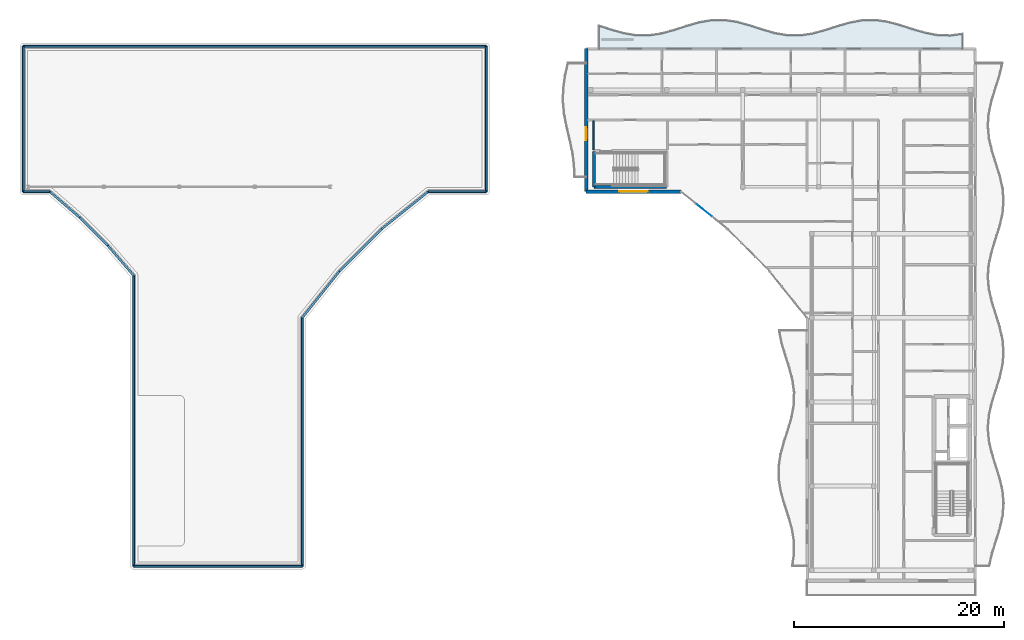
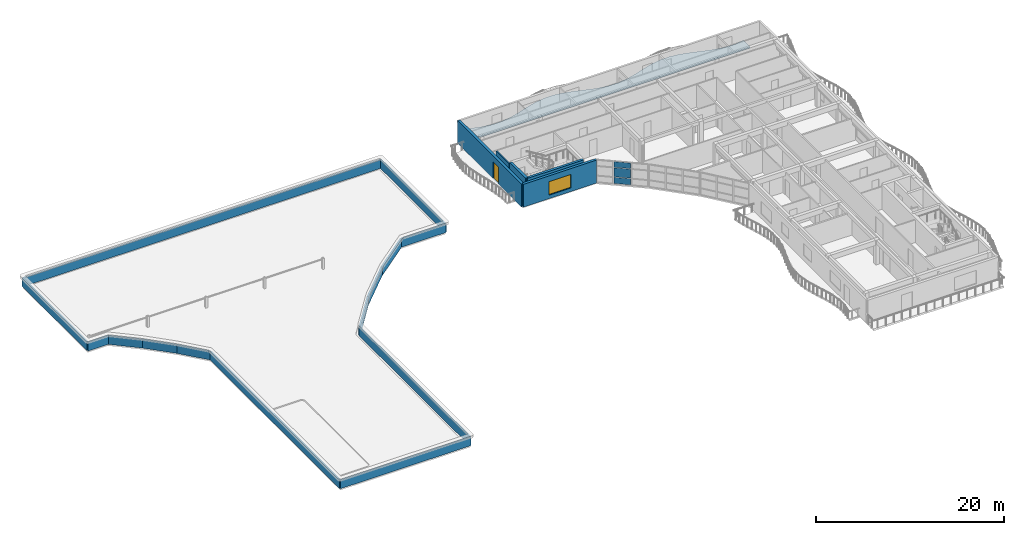
# One storey, part 9 of 18: 19 walls, 3 plates, 1 door, 1 slab, 1 window, 2 openings, 1 element without a shape of its own.
"""IFC4 building model written with IfcOpenShell, lengths in metres."""

from ifc_helpers import new_model, si_unit, direction, frame, frame_2d, origin, origin_2d, place, context, subcontext, project, spatial, polyline, rectangle, outline, extrude, material, layer, layer_set, type_object, element, fill, aggregate, save


model = new_model("IFC4")

# Units and contexts
model_context = context("Model", 3, precision=1e-05, world=origin(), true_north=direction((0.0, 1.0)))
body_context = subcontext(model_context, "Body", "Model", "MODEL_VIEW")
ifc_project = project(units=[si_unit("LENGTHUNIT", "METRE"), si_unit("AREAUNIT", "SQUARE_METRE"), si_unit("VOLUMEUNIT", "CUBIC_METRE"), si_unit("PLANEANGLEUNIT", "RADIAN"), si_unit("MASSUNIT", "GRAM", prefix="KILO")], contexts=[model_context])

# Site, building, storey
site_placement = place(None, origin())
site = spatial("IfcSite", under=ifc_project, at=site_placement, CompositionType="ELEMENT")
building_placement = place(site_placement, origin())
building = spatial("IfcBuilding", under=site, at=building_placement, Name="Keldmere Railside Commons", CompositionType="ELEMENT")
storey_placement = place(building_placement, frame((0.0, 0.0, 39.360107421875)))
storey = spatial("IfcBuildingStorey", under=building, at=storey_placement, Name="L12", CompositionType="ELEMENT", Elevation=39.360107421875)

# Curtain wall, plates
ifc_material_1 = material(Name="Thermally Broken Aluminium", Category="aluminium")
ifc_layer_1 = layer(ifc_material_1, 0.159912109375, Name="Court Chord Wintergarden CW 5400x2850")
ifc_layer_set_1 = layer_set([ifc_layer_1], Name="Thermally Broken Aluminium")
curtain_wall_type = type_object("IfcCurtainWallType", Name="Court Chord Wintergarden CW 5400x2850", PredefinedType="NOTDEFINED", material=ifc_layer_set_1)
curtain_wall_placement = place(storey_placement, origin())
curtain_wall = element("IfcCurtainWall", 1, at=curtain_wall_placement, inside=storey, type_object=curtain_wall_type, Name="CW-13 CW-L12-193", PredefinedType="NOTDEFINED")
ifc_material_2 = material(Name="Low-E Insulated Double Glazing", Category="glass")
ifc_layer_2 = layer(ifc_material_2, 0.033935546875, Name="Acoustic Laminated Vision Panel 34")
ifc_layer_set_2 = layer_set([ifc_layer_2], Name="Low-E Insulated Double Glazing")
plate_type = type_object("IfcPlateType", Name="Acoustic Laminated Vision Panel 34", PredefinedType="CURTAIN_PANEL", material=ifc_layer_set_2)
plate_1_placement = place(storey_placement, frame((158.215087890625, 98.222900390625, 0.06494140625), z_axis=(0.0, 0.0, 1.0), x_axis=(-0.780009172323, 0.625768080915, 0.0)))
plate_1 = element("IfcPlate", 2, at=plate_1_placement, type_object=plate_type, Name="CW-13 panel 2.1", PredefinedType="CURTAIN_PANEL", context=body_context, shape_type="SweptSolid", body=[
    extrude(rectangle(XDim=1.828125, YDim=0.033935546875, at=origin_2d()), origin(), (0.0, 0.0, 1.0), 0.802490234375),
])
plate_2_placement = place(storey_placement, frame((158.215087890625, 98.222900390625, 0.932373046875), z_axis=(0.0, 0.0, 1.0), x_axis=(-0.780009172323, 0.625768080915, 0.0)))
plate_2 = element("IfcPlate", 3, at=plate_2_placement, type_object=plate_type, Name="CW-13 panel 2.2", PredefinedType="CURTAIN_PANEL", context=body_context, shape_type="SweptSolid", body=[
    extrude(rectangle(XDim=1.828125, YDim=0.033935546875, at=origin_2d()), origin(), (0.0, 0.0, 1.0), 1.18505859375),
])
plate_3_placement = place(storey_placement, frame((158.215087890625, 98.222900390625, 2.182373046875), z_axis=(0.0, 0.0, 1.0), x_axis=(-0.780009172323, 0.625768080915, 0.0)))
plate_3 = element("IfcPlate", 4, at=plate_3_placement, type_object=plate_type, Name="CW-13 panel 2.3", PredefinedType="CURTAIN_PANEL", context=body_context, shape_type="SweptSolid", body=[
    extrude(rectangle(XDim=1.828125, YDim=0.033935546875, at=origin_2d()), origin(), (0.0, 0.0, 1.0), 0.732421875),
])
aggregate(curtain_wall, [plate_1, plate_2, plate_3])

# Slab
ifc_material_3 = material(Name="White Precast Concrete H-35 (C35/45)", Category="concrete")
ifc_layer_3 = layer(ifc_material_3, 0.179931640625, Name="Sinusoidal Wave Balcony Slab 180")
ifc_layer_set_3 = layer_set([ifc_layer_3], Name="White Precast Concrete H-35 (C35/45)")
slab_type = type_object("IfcSlabType", Name="Sinusoidal Wave Balcony Slab 180", PredefinedType="FLOOR", material=ifc_layer_set_3)
slab_placement = place(storey_placement, frame((0.0, 0.0, -0.18017578125)))
element("IfcSlab", 5, at=slab_placement, inside=storey, type_object=slab_type, Name="WB-1 A L12 N Wave Balcony", PredefinedType="FLOOR", context=body_context, shape_type="SweptSolid", body=[
    extrude(outline(polyline([(148.199951171875, 113.60009765625), (149.39306640625, 113.60009765625), (150.586181640625, 113.60009765625), (151.779296875, 113.60009765625), (152.972412109375, 113.60009765625), (154.16552734375, 113.60009765625), (155.358642578125, 113.60009765625), (156.5517578125, 113.60009765625), (157.744873046875, 113.60009765625), (158.93798828125, 113.60009765625), (160.131103515625, 113.60009765625), (161.32421875, 113.60009765625), (162.51708984375, 113.60009765625), (163.710205078125, 113.60009765625), (164.9033203125, 113.60009765625), (166.0966796875, 113.60009765625), (167.289794921875, 113.60009765625), (168.48291015625, 113.60009765625), (169.67578125, 113.60009765625), (170.868896484375, 113.60009765625), (172.06201171875, 113.60009765625), (173.255126953125, 113.60009765625), (174.4482421875, 113.60009765625), (175.641357421875, 113.60009765625), (176.83447265625, 113.60009765625), (178.027587890625, 113.60009765625), (179.220703125, 113.60009765625), (180.413818359375, 113.60009765625), (181.60693359375, 113.60009765625), (182.800048828125, 113.60009765625), (182.800048828125, 114.96923828125), (181.60693359375, 114.81005859375), (180.413818359375, 114.846923828125), (179.220703125, 115.0703125), (178.027587890625, 115.42041015625), (176.83447265625, 115.80517578125), (175.641357421875, 116.1220703125), (174.4482421875, 116.28759765625), (173.255126953125, 116.257568359375), (172.06201171875, 116.040283203125), (170.868896484375, 115.69287109375), (169.67578125, 115.3076171875), (168.48291015625, 114.98681640625), (167.289794921875, 114.815185546875), (166.0966796875, 114.837890625), (164.9033203125, 115.0498046875), (163.710205078125, 115.393798828125), (162.51708984375, 115.779296875), (161.32421875, 116.104248046875), (160.131103515625, 116.281982421875), (158.93798828125, 116.26611328125), (157.744873046875, 116.060302734375), (156.5517578125, 115.71923828125), (155.358642578125, 115.33349609375), (154.16552734375, 115.0048828125), (152.972412109375, 114.82080078125), (151.779296875, 114.830078125), (150.586181640625, 115.02978515625), (149.39306640625, 115.367431640625), (148.199951171875, 115.75341796875), (148.199951171875, 113.60009765625)])), origin(), (0.0, 0.0, 1.0), 0.18017578125),
])

# Wall, opening, door
ifc_material_4 = material(Name="Concrete H-35 (C35/45)", Category="concrete")
ifc_layer_4 = layer(ifc_material_4, 0.320068359375, Name="Exterior Shear Wall 320")
ifc_layer_set_4 = layer_set([ifc_layer_4], Name="Concrete H-35 (C35/45)")
wall_type_1 = type_object("IfcWallType", Name="Exterior Shear Wall 320", PredefinedType="SHEAR", material=ifc_layer_set_4)
wall_1_placement = place(storey_placement, frame((147.0, 100.0, 0.0), z_axis=(0.0, 0.0, 1.0), x_axis=(0.0, 1.0, 0.0)))
wall_1 = element("IfcWall", 6, at=wall_1_placement, inside=storey, type_object=wall_type_1, Name="ESW-2 EXTA-L12-0961", PredefinedType="SHEAR", context=body_context, shape_type="SweptSolid", body=[
    extrude(rectangle(XDim=13.60009765625, YDim=0.320068359375, at=frame_2d((6.800048828125, 0.0))), origin(), (0.0, 0.0, 1.0), 2.97998046875),
])
opening_1_placement = place(wall_1_placement, frame((4.89990234375, 0.0, 0.0)))
opening_1 = element("IfcOpeningElement", 7, at=opening_1_placement, cuts=wall_1, Name="Opening BD-01", PredefinedType="OPENING", context=body_context, shape_type="SweptSolid", body=[
    extrude(rectangle(XDim=1.199951171875, YDim=2.199951171875, at=frame_2d((0.60009765625, 1.10009765625))), frame((0.0, 0.169921875, 0.0), z_axis=(0.0, -1.0, 0.0), x_axis=(1.0, 0.0, 0.0)), (0.0, 0.0, 1.0), 0.340087890625),
])
door_type = type_object("IfcDoorType", Name="Apartment Living Wave-Balcony Glazed Door 1200x2200", OperationType="NOTDEFINED", PredefinedType="DOOR", material=ifc_material_1)
door_placement = place(opening_1_placement, origin())
door = element("IfcDoor", 8, at=door_placement, inside=storey, type_object=door_type, Name="BD-01 DR-L12-0289", OperationType="SINGLE_SWING_LEFT", OverallHeight=2.199951171875, OverallWidth=1.199951171875, PredefinedType="DOOR", context=body_context, shape_type="SweptSolid", body=[
    extrude(rectangle(XDim=1.199951171875, YDim=2.199951171875, at=frame_2d((0.60009765625, 1.10009765625))), frame((0.0, 0.02490234375, 0.0), z_axis=(0.0, -1.0, 0.0), x_axis=(1.0, 0.0, 0.0)), (0.0, 0.0, 1.0), 0.050048828125),
])
fill(opening_1, door)

# Wall, opening, window
wall_2_placement = place(storey_placement, frame((156.0, 100.0, 0.0), z_axis=(0.0, 0.0, 1.0), x_axis=(-1.0, 0.0, 0.0)))
wall_2 = element("IfcWall", 9, at=wall_2_placement, inside=storey, type_object=wall_type_1, Name="ESW-2 EXTA-L12-0962", PredefinedType="SHEAR", context=body_context, shape_type="SweptSolid", body=[
    extrude(rectangle(XDim=9.0, YDim=0.320068359375, at=frame_2d((4.5, 0.0))), origin(), (0.0, 0.0, 1.0), 2.97998046875),
])
opening_2_placement = place(wall_2_placement, frame((3.14990234375, 0.0, 0.469970703125)))
opening_2 = element("IfcOpeningElement", 10, at=opening_2_placement, cuts=wall_2, Name="Opening WN-19", PredefinedType="OPENING", context=body_context, shape_type="SweptSolid", body=[
    extrude(rectangle(XDim=2.699951171875, YDim=1.75, at=frame_2d((1.35009765625, 0.875))), frame((0.0, 0.169921875, 0.0), z_axis=(0.0, -1.0, 0.0), x_axis=(1.0, 0.0, 0.0)), (0.0, 0.0, 1.0), 0.340087890625),
])
window_type = type_object("IfcWindowType", Name="Resident Lounge Panorama Window 2700x1750", PartitioningType="SINGLE_PANEL", PredefinedType="WINDOW", material=ifc_material_2)
window_placement = place(opening_2_placement, origin())
window = element("IfcWindow", 11, at=window_placement, inside=storey, type_object=window_type, Name="WN-19 WIN-L12-0798", OverallHeight=1.75, OverallWidth=2.699951171875, PartitioningType="SINGLE_PANEL", PredefinedType="WINDOW", context=body_context, shape_type="SweptSolid", body=[
    extrude(rectangle(XDim=2.699951171875, YDim=1.75, at=frame_2d((1.35009765625, 0.875))), frame((0.0, 0.030029296875, 0.0), z_axis=(0.0, -1.0, 0.0), x_axis=(1.0, 0.0, 0.0)), (0.0, 0.0, 1.0), 0.06005859375),
])
fill(opening_2, window)

# Walls
ifc_layer_5 = layer(ifc_material_4, 0.300048828125, Name="Interior Shear Wall 300")
ifc_layer_set_5 = layer_set([ifc_layer_5], Name="Concrete H-35 (C35/45)")
wall_type_2 = type_object("IfcWallType", Name="Interior Shear Wall 300", PredefinedType="SHEAR", material=ifc_layer_set_5)
wall_3_placement = place(storey_placement, frame((147.75, 100.449951171875, 0.0), z_axis=(0.0, 0.0, 1.0), x_axis=(1.0, 0.0, 0.0)))
element("IfcWall", 12, at=wall_3_placement, inside=storey, type_object=wall_type_2, Name="ISW-2 COREA2S-L12-0860", PredefinedType="SHEAR", context=body_context, shape_type="SweptSolid", body=[
    extrude(rectangle(XDim=6.89990234375, YDim=0.300048828125, at=frame_2d((3.449951171875, 0.0))), origin(), (0.0, 0.0, 1.0), 3.199951171875),
])
wall_4_placement = place(storey_placement, frame((147.75, 103.820068359375, 0.0), z_axis=(0.0, 0.0, 1.0), x_axis=(0.0, -1.0, 0.0)))
element("IfcWall", 13, at=wall_4_placement, inside=storey, type_object=wall_type_2, Name="ISW-2 COREA2W-L12-0862", PredefinedType="SHEAR", context=body_context, shape_type="SweptSolid", body=[
    extrude(rectangle(XDim=3.3701171875, YDim=0.300048828125, at=frame_2d((1.68505859375, 0.0))), origin(), (0.0, 0.0, 1.0), 3.199951171875),
])
ifc_material_5 = material(Name="Acoustic Gypsum Board Partition", Category="gypsum")
ifc_layer_6 = layer(ifc_material_5, 0.14990234375, Name="Lobby Rated Partition 150")
ifc_layer_set_6 = layer_set([ifc_layer_6], Name="Acoustic Gypsum Board Partition")
wall_type_3 = type_object("IfcWallType", Name="Lobby Rated Partition 150", PredefinedType="PARTITIONING", material=ifc_layer_set_6)
wall_5_placement = place(storey_placement, frame((147.679931640625, 103.989990234375, 0.0), z_axis=(0.0, 0.0, 1.0), x_axis=(0.0, 1.0, 0.0)))
element("IfcWall", 14, at=wall_5_placement, inside=storey, type_object=wall_type_3, Name="IW-3 IW-L12-1901", PredefinedType="PARTITIONING", context=body_context, shape_type="SweptSolid", body=[
    extrude(rectangle(XDim=2.72998046875, YDim=0.14990234375, at=frame_2d((1.364990234375, 0.0))), origin(), (0.0, 0.0, 1.0), 2.934814453125),
])
ifc_material_6 = material(Name="Architectural Precast Concrete H-35 (C35/45)", Category="concrete")
ifc_layer_7 = layer(ifc_material_6, 0.18994140625, Name="Roof Parapet Wall 190")
ifc_layer_set_7 = layer_set([ifc_layer_7], Name="Architectural Precast Concrete H-35 (C35/45)")
wall_type_4 = type_object("IfcWallType", Name="Roof Parapet Wall 190", PredefinedType="PARAPET", material=ifc_layer_set_7)
wall_6_placement = place(storey_placement, frame((120.0, 64.39990234375, 0.0), z_axis=(0.0, 0.0, 1.0), x_axis=(-1.0, 0.0, 0.0)))
element("IfcWall", 15, at=wall_6_placement, inside=storey, type_object=wall_type_4, Name="PW-1 PRPB-L12-0682", PredefinedType="PARAPET", context=body_context, shape_type="SweptSolid", body=[
    extrude(rectangle(XDim=16.0, YDim=0.18994140625, at=frame_2d((8.0, 0.0))), origin(), (0.0, 0.0, 1.0), 1.099853515625),
])
wall_7_placement = place(storey_placement, frame((120.0, 88.0, 0.0), z_axis=(0.0, 0.0, 1.0), x_axis=(0.0, -1.0, 0.0)))
element("IfcWall", 16, at=wall_7_placement, inside=storey, type_object=wall_type_4, Name="PW-1 PRPB-L12-0683", PredefinedType="PARAPET", context=body_context, shape_type="SweptSolid", body=[
    extrude(rectangle(XDim=23.60009765625, YDim=0.18994140625, at=frame_2d((11.800048828125, 0.0))), origin(), (0.0, 0.0, 1.0), 1.099853515625),
])
wall_8_placement = place(storey_placement, frame((123.553955078125, 92.429931640625, 0.0), z_axis=(0.0, 0.0, 1.0), x_axis=(-0.625769143611, -0.780008319766, 0.0)))
element("IfcWall", 17, at=wall_8_placement, inside=storey, type_object=wall_type_4, Name="PW-1 PRPB-L12-0684", PredefinedType="PARAPET", context=body_context, shape_type="SweptSolid", body=[
    extrude(rectangle(XDim=5.679443359375, YDim=0.18994140625, at=frame_2d((2.83984375, 0.0))), origin(), (0.0, 0.0, 1.0), 1.099853515625),
])
wall_9_placement = place(storey_placement, frame((127.570068359375, 96.446044921875, 0.0), z_axis=(0.0, 0.0, 1.0), x_axis=(-0.707106781187, -0.707106781187, 0.0)))
element("IfcWall", 18, at=wall_9_placement, inside=storey, type_object=wall_type_4, Name="PW-1 PRPB-L12-0685", PredefinedType="PARAPET", context=body_context, shape_type="SweptSolid", body=[
    extrude(rectangle(XDim=5.6796875, YDim=0.18994140625, at=frame_2d((2.83984375, 0.0))), origin(), (0.0, 0.0, 1.0), 1.099853515625),
])
wall_10_placement = place(storey_placement, frame((132.0, 100.0, 0.0), z_axis=(0.0, 0.0, 1.0), x_axis=(-0.780008319766, -0.625769143611, 0.0)))
element("IfcWall", 19, at=wall_10_placement, inside=storey, type_object=wall_type_4, Name="PW-1 PRPB-L12-0686", PredefinedType="PARAPET", context=body_context, shape_type="SweptSolid", body=[
    extrude(rectangle(XDim=5.679443359375, YDim=0.18994140625, at=frame_2d((2.83984375, 0.0))), origin(), (0.0, 0.0, 1.0), 1.099853515625),
])
wall_11_placement = place(storey_placement, frame((137.5, 100.0, 0.0), z_axis=(0.0, 0.0, 1.0), x_axis=(-1.0, 0.0, 0.0)))
element("IfcWall", 20, at=wall_11_placement, inside=storey, type_object=wall_type_4, Name="PW-1 PRPB-L12-0687", PredefinedType="PARAPET", context=body_context, shape_type="SweptSolid", body=[
    extrude(rectangle(XDim=5.5, YDim=0.18994140625, at=frame_2d((2.75, 0.0))), origin(), (0.0, 0.0, 1.0), 1.099853515625),
])
wall_12_placement = place(storey_placement, frame((137.5, 113.800048828125, 0.0), z_axis=(0.0, 0.0, 1.0), x_axis=(0.0, -1.0, 0.0)))
element("IfcWall", 21, at=wall_12_placement, inside=storey, type_object=wall_type_4, Name="PW-1 PRPB-L12-0688", PredefinedType="PARAPET", context=body_context, shape_type="SweptSolid", body=[
    extrude(rectangle(XDim=13.800048828125, YDim=0.18994140625, at=frame_2d((6.89990234375, 0.0))), origin(), (0.0, 0.0, 1.0), 1.099853515625),
])
wall_13_placement = place(storey_placement, frame((93.5, 113.800048828125, 0.0), z_axis=(0.0, 0.0, 1.0), x_axis=(1.0, 0.0, 0.0)))
element("IfcWall", 22, at=wall_13_placement, inside=storey, type_object=wall_type_4, Name="PW-1 PRPB-L12-0689", PredefinedType="PARAPET", context=body_context, shape_type="SweptSolid", body=[
    extrude(rectangle(XDim=44.0, YDim=0.18994140625, at=frame_2d((22.0, 0.0))), origin(), (0.0, 0.0, 1.0), 1.099853515625),
])
wall_14_placement = place(storey_placement, frame((93.5, 100.0, 0.0), z_axis=(0.0, 0.0, 1.0), x_axis=(0.0, 1.0, 0.0)))
element("IfcWall", 23, at=wall_14_placement, inside=storey, type_object=wall_type_4, Name="PW-1 PRPB-L12-0690", PredefinedType="PARAPET", context=body_context, shape_type="SweptSolid", body=[
    extrude(rectangle(XDim=13.800048828125, YDim=0.18994140625, at=frame_2d((6.89990234375, 0.0))), origin(), (0.0, 0.0, 1.0), 1.099853515625),
])
wall_15_placement = place(storey_placement, frame((96.0, 100.0, 0.0), z_axis=(0.0, 0.0, 1.0), x_axis=(-1.0, 0.0, 0.0)))
element("IfcWall", 24, at=wall_15_placement, inside=storey, type_object=wall_type_4, Name="PW-1 PRPB-L12-0691", PredefinedType="PARAPET", context=body_context, shape_type="SweptSolid", body=[
    extrude(rectangle(XDim=2.5, YDim=0.18994140625, at=frame_2d((1.25, 0.0))), origin(), (0.0, 0.0, 1.0), 1.099853515625),
])
wall_16_placement = place(storey_placement, frame((98.85791015625, 97.530029296875, 0.0), z_axis=(0.0, 0.0, 1.0), x_axis=(-0.75659043512, 0.65388906818, 0.0)))
element("IfcWall", 25, at=wall_16_placement, inside=storey, type_object=wall_type_4, Name="PW-1 PRPB-L12-0692", PredefinedType="PARAPET", context=body_context, shape_type="SweptSolid", body=[
    extrude(rectangle(XDim=3.77734375, YDim=0.18994140625, at=frame_2d((1.888671875, 0.0))), origin(), (0.0, 0.0, 1.0), 1.099853515625),
])
wall_17_placement = place(storey_placement, frame((101.530029296875, 94.85791015625, 0.0), z_axis=(0.0, 0.0, 1.0), x_axis=(-0.707106781187, 0.707106781187, 0.0)))
element("IfcWall", 26, at=wall_17_placement, inside=storey, type_object=wall_type_4, Name="PW-1 PRPB-L12-0693", PredefinedType="PARAPET", context=body_context, shape_type="SweptSolid", body=[
    extrude(rectangle(XDim=3.779052734375, YDim=0.18994140625, at=frame_2d((1.8896484375, 0.0))), origin(), (0.0, 0.0, 1.0), 1.099853515625),
])
wall_18_placement = place(storey_placement, frame((104.0, 92.0, 0.0), z_axis=(0.0, 0.0, 1.0), x_axis=(-0.65388906818, 0.75659043512, 0.0)))
element("IfcWall", 27, at=wall_18_placement, inside=storey, type_object=wall_type_4, Name="PW-1 PRPB-L12-0694", PredefinedType="PARAPET", context=body_context, shape_type="SweptSolid", body=[
    extrude(rectangle(XDim=3.77734375, YDim=0.18994140625, at=frame_2d((1.888671875, 0.0))), origin(), (0.0, 0.0, 1.0), 1.099853515625),
])
wall_19_placement = place(storey_placement, frame((104.0, 64.39990234375, 0.0), z_axis=(0.0, 0.0, 1.0), x_axis=(0.0, 1.0, 0.0)))
element("IfcWall", 28, at=wall_19_placement, inside=storey, type_object=wall_type_4, Name="PW-1 PRPB-L12-0695", PredefinedType="PARAPET", context=body_context, shape_type="SweptSolid", body=[
    extrude(rectangle(XDim=27.60009765625, YDim=0.18994140625, at=frame_2d((13.800048828125, 0.0))), origin(), (0.0, 0.0, 1.0), 1.099853515625),
])

save(model, "model.ifc")
